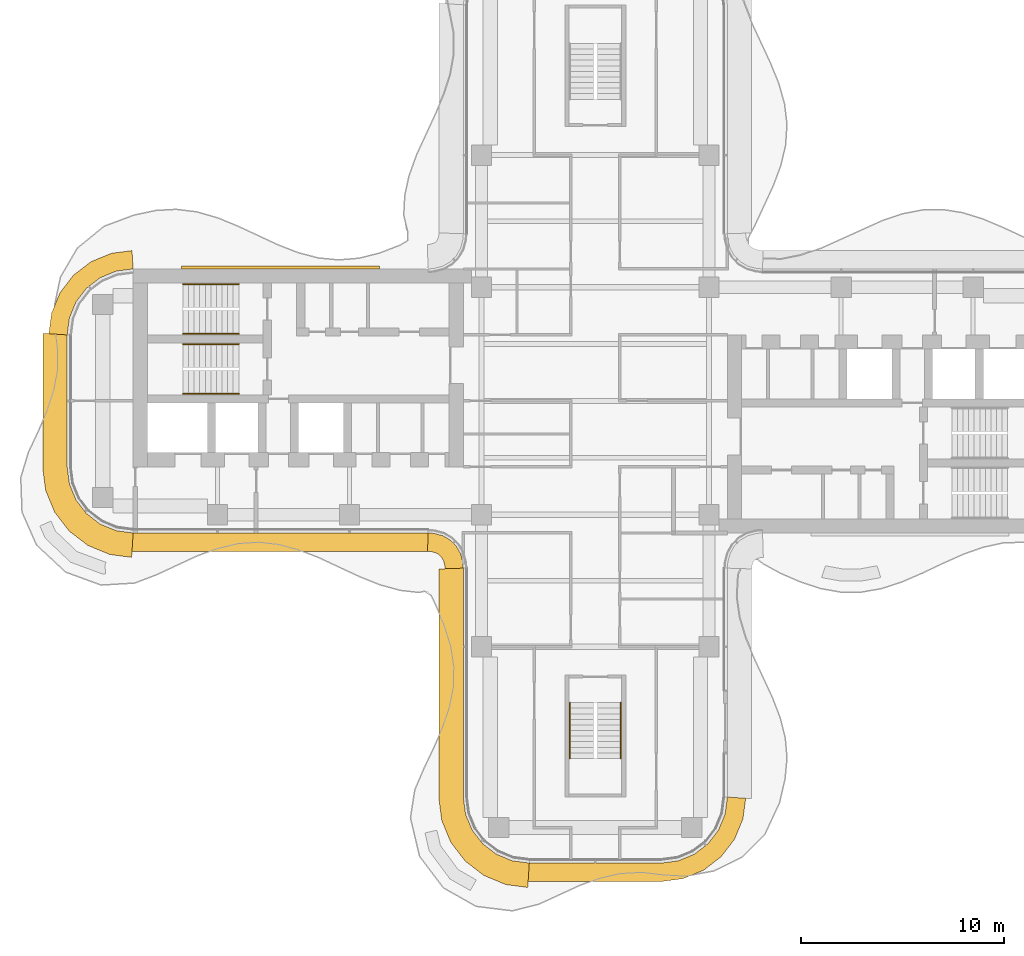
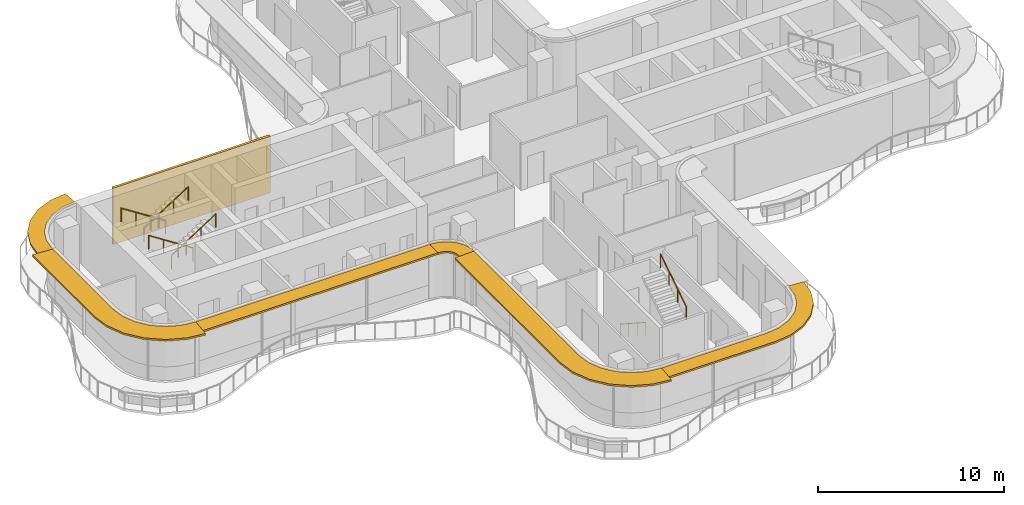
# One storey, part 15 of 16: 6 railings, 6 shading devices, 1 covering.
"""IFC4 building model written with IfcOpenShell, lengths in metres."""

from ifc_helpers import new_model, si_unit, direction, frame, origin, origin_2d, place, context, subcontext, project, spatial, polyline, circle, outline, extrude, source, transform, mapped, material, layer, layer_set, type_object, element, save


model = new_model("IFC4")

# Units and contexts
model_context = context("Model", 3, precision=1e-05, world=origin(), true_north=direction((0.0, 1.0)))
body_context = subcontext(model_context, "Body", "Model", "MODEL_VIEW")
ifc_project = project(units=[si_unit("LENGTHUNIT", "METRE"), si_unit("AREAUNIT", "SQUARE_METRE"), si_unit("VOLUMEUNIT", "CUBIC_METRE"), si_unit("PLANEANGLEUNIT", "RADIAN"), si_unit("MASSUNIT", "GRAM", prefix="KILO")], contexts=[model_context])

# Site, building, storey
site_placement = place(None, origin())
site = spatial("IfcSite", under=ifc_project, at=site_placement, CompositionType="ELEMENT")
building_placement = place(site_placement, origin())
building = spatial("IfcBuilding", under=site, at=building_placement, Name="Trellis Farm Tower", CompositionType="ELEMENT")
storey_placement = place(building_placement, frame((0.0, 0.0, 291.10009765625)))
storey = spatial("IfcBuildingStorey", under=building, at=storey_placement, Name="L65", CompositionType="ELEMENT", Elevation=291.10009765625)

# Railings
ifc_material_1 = material(Name="Stainless steel", Category="steel")
railing_type = type_object("IfcRailingType", Name="STAIR HANDRAIL 900", PredefinedType="HANDRAIL", material=ifc_material_1)
shared_shape_1 = source(origin(), body_context, "Body", "SweptSolid", [
    extrude(circle(Radius=0.02392578125, at=origin_2d()), frame((0.0, 0.0, 0.8759765625), z_axis=(0.0, 0.840503830235, 0.541805602924), x_axis=(-1.0, 0.0, 0.0)), (0.0, 0.0, 1.0), 3.271728515625),
    extrude(circle(Radius=0.02099609375, at=origin_2d()), origin(), (0.0, 0.0, 1.0), 0.851806640625),
    extrude(circle(Radius=0.02099609375, at=origin_2d()), frame((0.0, 0.916748046875, 0.5908203125)), (0.0, 0.0, 1.0), 0.851806640625),
    extrude(circle(Radius=0.02099609375, at=origin_2d()), frame((0.0, 1.833251953125, 1.181884765625)), (0.0, 0.0, 1.0), 0.851806640625),
    extrude(circle(Radius=0.02099609375, at=origin_2d()), frame((0.0, 2.75, 1.772705078125)), (0.0, 0.0, 1.0), 0.851806640625),
])
railing_1_placement = place(storey_placement, frame((1.25, -17.60009765625, 2.127197265625)))
element("IfcRailing", 1, at=railing_1_placement, inside=storey, type_object=railing_type, Name="Stair handrail", PredefinedType="HANDRAIL", context=body_context, shape_type="MappedRepresentation", body=[
    mapped(shared_shape_1, transform((0.0, 0.0, 0.0))),
])
shared_shape_2 = source(origin(), body_context, "Body", "SweptSolid", [
    extrude(circle(Radius=0.02392578125, at=origin_2d()), frame((0.0, 0.0, 0.8759765625), z_axis=(0.0, -0.840503830235, 0.541805602924), x_axis=(1.0, 0.0, 0.0)), (0.0, 0.0, 1.0), 3.271728515625),
    extrude(circle(Radius=0.02099609375, at=origin_2d()), origin(), (0.0, 0.0, 1.0), 0.851806640625),
    extrude(circle(Radius=0.02099609375, at=origin_2d()), frame((0.0, -0.916748046875, 0.5908203125)), (0.0, 0.0, 1.0), 0.851806640625),
    extrude(circle(Radius=0.02099609375, at=origin_2d()), frame((0.0, -1.833251953125, 1.181884765625)), (0.0, 0.0, 1.0), 0.851806640625),
    extrude(circle(Radius=0.02099609375, at=origin_2d()), frame((0.0, -2.75, 1.772705078125)), (0.0, 0.0, 1.0), 0.851806640625),
])
railing_2_placement = place(storey_placement, frame((-1.25, -14.85009765625, 0.17724609375)))
element("IfcRailing", 2, at=railing_2_placement, inside=storey, type_object=railing_type, Name="Stair handrail", PredefinedType="HANDRAIL", context=body_context, shape_type="MappedRepresentation", body=[
    mapped(shared_shape_2, transform((0.0, 0.0, 0.0))),
])
shared_shape_3 = source(origin(), body_context, "Body", "SweptSolid", [
    extrude(circle(Radius=0.02392578125, at=origin_2d()), frame((0.0, 0.0, 0.8759765625), z_axis=(0.840503830235, 0.0, 0.541805602924), x_axis=(0.0, 1.0, 0.0)), (0.0, 0.0, 1.0), 3.271728515625),
    extrude(circle(Radius=0.02099609375, at=origin_2d()), origin(), (0.0, 0.0, 1.0), 0.851806640625),
    extrude(circle(Radius=0.02099609375, at=origin_2d()), frame((0.916748046875, 0.0, 0.5908203125)), (0.0, 0.0, 1.0), 0.851806640625),
    extrude(circle(Radius=0.02099609375, at=origin_2d()), frame((1.833251953125, 0.0, 1.181884765625)), (0.0, 0.0, 1.0), 0.851806640625),
    extrude(circle(Radius=0.02099609375, at=origin_2d()), frame((2.75, 0.0, 1.772705078125)), (0.0, 0.0, 1.0), 0.851806640625),
])
for number, where, name in (
    (3, (-20.300048828125, 3.300048828125, 2.127197265625), "Stair handrail"),
    (4, (-20.300048828125, 0.35009765625, 2.127197265625), "Stair handrail"),
):
    element("IfcRailing", number, at=place(storey_placement, frame(where)), inside=storey, type_object=railing_type, Name=name, PredefinedType="HANDRAIL", context=body_context, shape_type="MappedRepresentation", body=[
        mapped(shared_shape_3, transform((0.0, 0.0, 0.0))),
    ])
shared_shape_4 = source(origin(), body_context, "Body", "SweptSolid", [
    extrude(circle(Radius=0.02392578125, at=origin_2d()), frame((0.0, 0.0, 0.8759765625), z_axis=(-0.840503830235, 0.0, 0.541805602924), x_axis=(0.0, -1.0, 0.0)), (0.0, 0.0, 1.0), 3.271728515625),
    extrude(circle(Radius=0.02099609375, at=origin_2d()), origin(), (0.0, 0.0, 1.0), 0.851806640625),
    extrude(circle(Radius=0.02099609375, at=origin_2d()), frame((-0.916748046875, 0.0, 0.5908203125)), (0.0, 0.0, 1.0), 0.851806640625),
    extrude(circle(Radius=0.02099609375, at=origin_2d()), frame((-1.833251953125, 0.0, 1.181884765625)), (0.0, 0.0, 1.0), 0.851806640625),
    extrude(circle(Radius=0.02099609375, at=origin_2d()), frame((-2.75, 0.0, 1.772705078125)), (0.0, 0.0, 1.0), 0.851806640625),
])
for number, where, name in (
    (5, (-17.550048828125, 5.75, 0.17724609375), "Stair handrail"),
    (6, (-17.550048828125, 2.800048828125, 0.17724609375), "Stair handrail"),
):
    element("IfcRailing", number, at=place(storey_placement, frame(where)), inside=storey, type_object=railing_type, Name=name, PredefinedType="HANDRAIL", context=body_context, shape_type="MappedRepresentation", body=[
        mapped(shared_shape_4, transform((0.0, 0.0, 0.0))),
    ])

# Shading devices
ifc_material_2 = material(Name="Aluminium extrusion 6063-T6", Category="aluminium")
ifc_layer_1 = layer(ifc_material_2, 0.1201171875)
ifc_layer_set_1 = layer_set([ifc_layer_1], Name="SUNSHADE BLADE 900")
shading_device_type_1 = type_object("IfcShadingDeviceType", Name="SUNSHADE BLADE 900", PredefinedType="USERDEFINED", material=ifc_layer_set_1)
shared_shape_5 = source(origin(), body_context, "Body", "SweptSolid", [
    extrude(outline(polyline([(-8.2607421875, -7.39990234375), (-8.107666015625, -7.409912109375), (-8.091552734375, -7.412109375), (-7.85595703125, -7.475341796875), (-7.697021484375, -7.567138671875), (-7.567138671875, -7.697021484375), (-7.475341796875, -7.85595703125), (-7.412109375, -8.091552734375), (-7.409912109375, -8.107666015625), (-7.39990234375, -8.2607421875), (-6.5, -8.2314453125), (-6.513916015625, -8.01953125), (-6.527587890625, -7.91552734375), (-6.63671875, -7.508544921875), (-6.846923828125, -7.144287109375), (-7.144287109375, -6.846923828125), (-7.508544921875, -6.63671875), (-7.91552734375, -6.527587890625), (-8.01953125, -6.513916015625), (-8.2314453125, -6.5), (-8.2607421875, -7.39990234375)])), origin(), (0.0, 0.0, 1.0), 0.1201171875),
])
placement = place(storey_placement, frame((0.0, 0.0, 3.539794921875)))
element("IfcShadingDevice", 7, at=placement, inside=storey, type_object=shading_device_type_1, Name="SD1 002", ObjectType="SUNSHADE", PredefinedType="USERDEFINED", context=body_context, shape_type="MappedRepresentation", body=[
    mapped(shared_shape_5, transform((0.0, 0.0, 0.0))),
])
ifc_layer_2 = layer(ifc_material_2, 0.1201171875)
ifc_layer_set_2 = layer_set([ifc_layer_2], Name="SUNSHADE BLADE 1200")
shading_device_type_2 = type_object("IfcShadingDeviceType", Name="SUNSHADE BLADE 1200", PredefinedType="USERDEFINED", material=ifc_layer_set_2)
shared_shape_6 = source(origin(), body_context, "Body", "SweptSolid", [
    extrude(outline(polyline([(-7.699951171875, -8.270751953125), (-7.699951171875, -19.57861328125), (-7.558349609375, -20.654541015625), (-7.11279296875, -21.730224609375), (-6.404052734375, -22.654052734375), (-5.480224609375, -23.36279296875), (-4.404541015625, -23.808349609375), (-3.32861328125, -23.949951171875), (-3.25, -22.75), (-4.091064453125, -22.63916015625), (-4.875, -22.314697265625), (-5.548095703125, -21.798095703125), (-6.064697265625, -21.125), (-6.38916015625, -20.341064453125), (-6.5, -19.5), (-6.5, -8.2314453125), (-7.699951171875, -8.270751953125)])), origin(), (0.0, 0.0, 1.0), 0.1201171875),
])
element("IfcShadingDevice", 8, at=placement, inside=storey, type_object=shading_device_type_2, Name="SD2 003", ObjectType="SUNSHADE", PredefinedType="USERDEFINED", context=body_context, shape_type="MappedRepresentation", body=[
    mapped(shared_shape_6, transform((0.0, 0.0, 0.0))),
])
shared_shape_7 = source(origin(), body_context, "Body", "SweptSolid", [
    extrude(outline(polyline([(-3.30908203125, -23.64990234375), (3.30908203125, -23.64990234375), (4.326171875, -23.51611328125), (5.328857421875, -23.100830078125), (6.18994140625, -22.43994140625), (6.850830078125, -21.578857421875), (7.26611328125, -20.576171875), (7.39990234375, -19.55908203125), (6.5, -19.5), (6.38916015625, -20.341064453125), (6.064697265625, -21.125), (5.548095703125, -21.798095703125), (4.875, -22.314697265625), (4.091064453125, -22.63916015625), (3.25, -22.75), (-3.25, -22.75), (-3.30908203125, -23.64990234375)])), origin(), (0.0, 0.0, 1.0), 0.1201171875),
])
element("IfcShadingDevice", 9, at=placement, inside=storey, type_object=shading_device_type_1, Name="SD1 004", ObjectType="SUNSHADE", PredefinedType="USERDEFINED", context=body_context, shape_type="MappedRepresentation", body=[
    mapped(shared_shape_7, transform((0.0, 0.0, 0.0))),
])
shared_shape_8 = source(origin(), body_context, "Body", "SweptSolid", [
    extrude(outline(polyline([(-22.80908203125, -7.39990234375), (-8.2607421875, -7.39990234375), (-8.2314453125, -6.5), (-22.75, -6.5), (-22.80908203125, -7.39990234375)])), origin(), (0.0, 0.0, 1.0), 0.1201171875),
])
element("IfcShadingDevice", 10, at=placement, inside=storey, type_object=shading_device_type_1, Name="SD1 001", ObjectType="SUNSHADE", PredefinedType="USERDEFINED", context=body_context, shape_type="MappedRepresentation", body=[
    mapped(shared_shape_8, transform((0.0, 0.0, 0.0))),
])
shared_shape_9 = source(origin(), body_context, "Body", "SweptSolid", [
    extrude(outline(polyline([(-22.80908203125, 7.39990234375), (-23.826171875, 7.26611328125), (-24.828857421875, 6.850830078125), (-25.68994140625, 6.18994140625), (-26.350830078125, 5.328857421875), (-26.76611328125, 4.326171875), (-26.89990234375, 3.30908203125), (-26.0, 3.25), (-25.88916015625, 4.091064453125), (-25.564697265625, 4.875), (-25.048095703125, 5.548095703125), (-24.375, 6.064697265625), (-23.591064453125, 6.38916015625), (-22.75, 6.5), (-22.80908203125, 7.39990234375)])), origin(), (0.0, 0.0, 1.0), 0.1201171875),
])
element("IfcShadingDevice", 11, at=placement, inside=storey, type_object=shading_device_type_1, Name="SD1 015", ObjectType="SUNSHADE", PredefinedType="USERDEFINED", context=body_context, shape_type="MappedRepresentation", body=[
    mapped(shared_shape_9, transform((0.0, 0.0, 0.0))),
])
shared_shape_10 = source(origin(), body_context, "Body", "SweptSolid", [
    extrude(outline(polyline([(-27.199951171875, 3.32861328125), (-27.199951171875, -3.32861328125), (-27.058349609375, -4.404541015625), (-26.61279296875, -5.480224609375), (-25.904052734375, -6.404052734375), (-24.980224609375, -7.11279296875), (-23.904541015625, -7.558349609375), (-22.82861328125, -7.699951171875), (-22.75, -6.5), (-23.591064453125, -6.38916015625), (-24.375, -6.064697265625), (-25.048095703125, -5.548095703125), (-25.564697265625, -4.875), (-25.88916015625, -4.091064453125), (-26.0, -3.25), (-26.0, 3.25), (-27.199951171875, 3.32861328125)])), origin(), (0.0, 0.0, 1.0), 0.1201171875),
])
element("IfcShadingDevice", 12, at=placement, inside=storey, type_object=shading_device_type_2, Name="SD2 016", ObjectType="SUNSHADE", PredefinedType="USERDEFINED", context=body_context, shape_type="MappedRepresentation", body=[
    mapped(shared_shape_10, transform((0.0, 0.0, 0.0))),
])

# Covering
ifc_material_3 = material(Name="Perforated precast screen (cobogo)", Category="concrete")
ifc_layer_3 = layer(ifc_material_3, 0.14990234375)
ifc_layer_set_3 = layer_set([ifc_layer_3], Name="COBOGO SCREEN PANEL")
covering_type = type_object("IfcCoveringType", Name="COBOGO SCREEN PANEL", PredefinedType="USERDEFINED", material=ifc_layer_set_3)
shared_shape_11 = source(origin(), body_context, "Body", "SweptSolid", [
    extrude(outline(polyline([(-10.61572265625, 6.64990234375), (-20.36572265625, 6.64990234375), (-20.36572265625, 6.5), (-10.61572265625, 6.5), (-10.61572265625, 6.64990234375)])), origin(), (0.0, 0.0, 1.0), 3.699951171875),
])
covering_placement = place(storey_placement, origin())
element("IfcCovering", 13, at=covering_placement, inside=storey, type_object=covering_type, Name="SC1 02", ObjectType="SCREEN", PredefinedType="USERDEFINED", context=body_context, shape_type="MappedRepresentation", body=[
    mapped(shared_shape_11, transform((0.0, 0.0, 0.0))),
])

save(model, "model.ifc")
